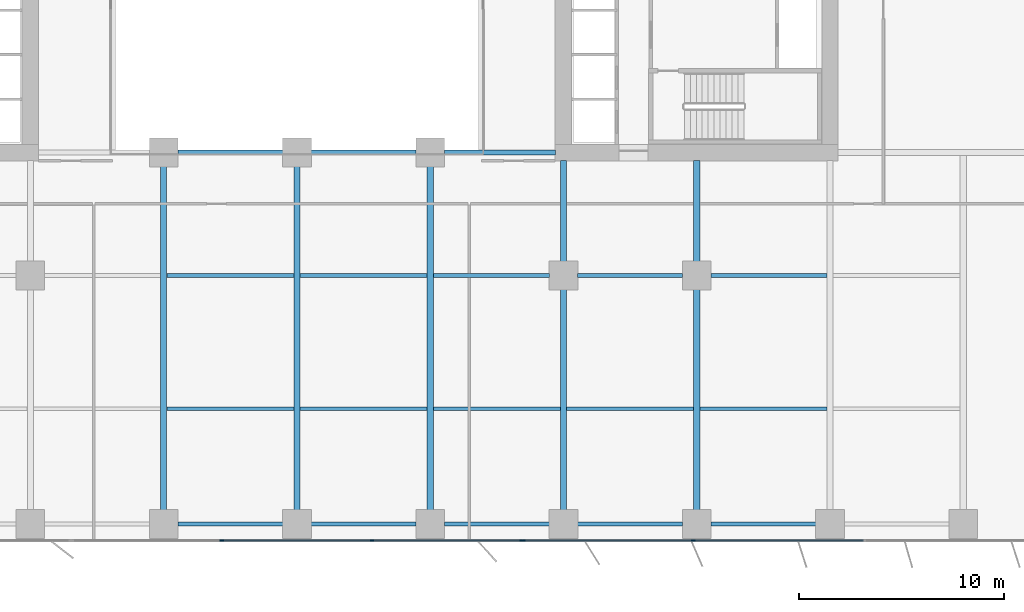
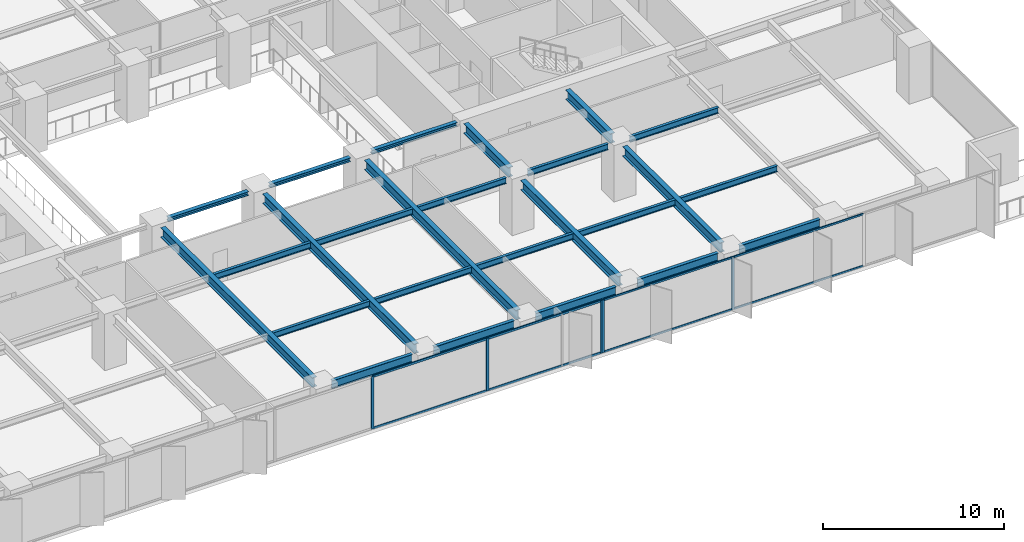
# One storey, part 5 of 20: 25 beams, 13 members, 2 elements without a shape of their own.
"""IFC4 building model written with IfcOpenShell, lengths in metres."""

from ifc_helpers import new_model, si_unit, direction, frame, origin, origin_2d, place, context, subcontext, project, spatial, rectangle, i_section, extrude, material, layer, layer_set, material_profile, profile_set, type_object, element, aggregate, save


model = new_model("IFC4")

# Units and contexts
model_context = context("Model", 3, precision=1e-05, world=origin(), true_north=direction((0.0, 1.0)))
body_context = subcontext(model_context, "Body", "Model", "MODEL_VIEW")
ifc_project = project(units=[si_unit("LENGTHUNIT", "METRE"), si_unit("AREAUNIT", "SQUARE_METRE"), si_unit("VOLUMEUNIT", "CUBIC_METRE"), si_unit("PLANEANGLEUNIT", "RADIAN"), si_unit("MASSUNIT", "GRAM", prefix="KILO")], contexts=[model_context])

# Site, building, storey
site_placement = place(None, origin())
site = spatial("IfcSite", under=ifc_project, at=site_placement, CompositionType="ELEMENT")
building_placement = place(site_placement, origin())
building = spatial("IfcBuilding", under=site, at=building_placement, Name="Putna Gate Headquarters", CompositionType="ELEMENT")
storey_placement = place(building_placement, frame((0.0, 0.0, 54.39990234375)))
storey = spatial("IfcBuildingStorey", under=building, at=storey_placement, Name="L12", CompositionType="ELEMENT", Elevation=54.39990234375)

# Beams
ifc_material_1 = material(Name="Steel S355J2", Category="steel")
ifc_material_profile_1 = material_profile(ifc_material_1, i_section(OverallWidth=0.260009765625, OverallDepth=0.260009765625, WebThickness=0.010009765625, FlangeThickness=0.017578125, at=origin_2d()), Name="Steel S355J2")
ifc_profile_set_1 = profile_set([ifc_material_profile_1], Name="Steel S355J2")
beam_type_1 = type_object("IfcBeamType", Name="BM-ATRIUM-HEB260", PredefinedType="BEAM", material=ifc_profile_set_1)
for number, where, z_axis, x_axis, name in (
    (1, (33.18798828125, 19.0, 3.420166015625), (1.0, 0.0, 0.0), (0.0, 1.0, 0.0), "L12 Atrium Edge Beam AS2"),
    (2, (39.68798828125, 19.0, 3.420166015625), (1.0, 0.0, 0.0), (0.0, 1.0, 0.0), "L12 Atrium Edge Beam AS3"),
):
    element("IfcBeam", number, at=place(storey_placement, frame(where, z_axis=z_axis, x_axis=x_axis)), inside=storey, type_object=beam_type_1, Name=name, PredefinedType="BEAM", context=body_context, shape_type="SweptSolid", body=[
        extrude(i_section(OverallWidth=0.260009765625, OverallDepth=0.260009765625, WebThickness=0.010009765625, FlangeThickness=0.017578125, at=origin_2d()), origin(), (0.0, 0.0, 1.0), 5.1240234375),
    ])
beam_1_placement = place(storey_placement, frame((46.18798828125, 19.0, 3.420166015625), z_axis=(1.0, 0.0, 0.0), x_axis=(0.0, 1.0, 0.0)))
element("IfcBeam", 3, at=beam_1_placement, inside=storey, type_object=beam_type_1, Name="L12 Atrium Edge Beam AS4", PredefinedType="BEAM", context=body_context, shape_type="SweptSolid", body=[
    extrude(i_section(OverallWidth=0.260009765625, OverallDepth=0.260009765625, WebThickness=0.010009765625, FlangeThickness=0.017578125, at=origin_2d()), origin(), (0.0, 0.0, 1.0), 5.427001953125),
])
ifc_material_profile_2 = material_profile(ifc_material_1, i_section(OverallWidth=0.300048828125, OverallDepth=0.64990234375, WebThickness=0.01611328125, FlangeThickness=0.031005859375, at=origin_2d()), Name="Steel S355J2")
ifc_profile_set_2 = profile_set([ifc_material_profile_2], Name="Steel S355J2")
beam_type_2 = type_object("IfcBeamType", Name="BM-GIRD-Z1-HEB650", PredefinedType="USERDEFINED", material=ifc_profile_set_2)
for number, where, z_axis, x_axis, name in (
    (4, (32.5, 1.568115234375, 3.22509765625), (0.0, 1.0, 0.0), (-1.0, 0.0, 0.0), "L12 South Primary Girder X32"),
    (5, (39.0, 1.568115234375, 3.22509765625), (0.0, 1.0, 0.0), (-1.0, 0.0, 0.0), "L12 South Primary Girder X39"),
    (6, (45.5, 1.568115234375, 3.22509765625), (0.0, 1.0, 0.0), (-1.0, 0.0, 0.0), "L12 South Primary Girder X45"),
):
    element("IfcBeam", number, at=place(storey_placement, frame(where, z_axis=z_axis, x_axis=x_axis)), inside=storey, type_object=beam_type_2, Name=name, ObjectType="GIRDER", PredefinedType="USERDEFINED", context=body_context, shape_type="SweptSolid", body=[
        extrude(i_section(OverallWidth=0.300048828125, OverallDepth=0.64990234375, WebThickness=0.01611328125, FlangeThickness=0.031005859375, at=origin_2d()), origin(), (0.0, 0.0, 1.0), 16.743896484375),
    ])
beam_2_placement = place(storey_placement, frame((52.0, 1.568115234375, 3.22509765625), z_axis=(0.0, 1.0, 0.0), x_axis=(-1.0, 0.0, 0.0)))
element("IfcBeam", 7, at=beam_2_placement, inside=storey, type_object=beam_type_2, Name="L12 South Primary Girder X52-1", ObjectType="GIRDER", PredefinedType="USERDEFINED", context=body_context, shape_type="SweptSolid", body=[
    extrude(i_section(OverallWidth=0.300048828125, OverallDepth=0.64990234375, WebThickness=0.01611328125, FlangeThickness=0.031005859375, at=origin_2d()), origin(), (0.0, 0.0, 1.0), 10.743896484375),
])
beam_3_placement = place(storey_placement, frame((52.0, 13.68798828125, 3.22509765625), z_axis=(0.0, 1.0, 0.0), x_axis=(-1.0, 0.0, 0.0)))
element("IfcBeam", 8, at=beam_3_placement, inside=storey, type_object=beam_type_2, Name="L12 South Primary Girder X52-2", ObjectType="GIRDER", PredefinedType="USERDEFINED", context=body_context, shape_type="SweptSolid", body=[
    extrude(i_section(OverallWidth=0.300048828125, OverallDepth=0.64990234375, WebThickness=0.01611328125, FlangeThickness=0.031005859375, at=origin_2d()), origin(), (0.0, 0.0, 1.0), 4.927001953125),
])
beam_4_placement = place(storey_placement, frame((58.5, 1.568115234375, 3.22509765625), z_axis=(0.0, 1.0, 0.0), x_axis=(-1.0, 0.0, 0.0)))
element("IfcBeam", 9, at=beam_4_placement, inside=storey, type_object=beam_type_2, Name="L12 South Primary Girder X58-1", ObjectType="GIRDER", PredefinedType="USERDEFINED", context=body_context, shape_type="SweptSolid", body=[
    extrude(i_section(OverallWidth=0.300048828125, OverallDepth=0.64990234375, WebThickness=0.01611328125, FlangeThickness=0.031005859375, at=origin_2d()), origin(), (0.0, 0.0, 1.0), 10.743896484375),
])
beam_5_placement = place(storey_placement, frame((58.5, 13.68798828125, 3.22509765625), z_axis=(0.0, 1.0, 0.0), x_axis=(-1.0, 0.0, 0.0)))
element("IfcBeam", 10, at=beam_5_placement, inside=storey, type_object=beam_type_2, Name="L12 South Primary Girder X58-2", ObjectType="GIRDER", PredefinedType="USERDEFINED", context=body_context, shape_type="SweptSolid", body=[
    extrude(i_section(OverallWidth=0.300048828125, OverallDepth=0.64990234375, WebThickness=0.01611328125, FlangeThickness=0.031005859375, at=origin_2d()), origin(), (0.0, 0.0, 1.0), 4.927001953125),
])
ifc_material_profile_3 = material_profile(ifc_material_1, i_section(OverallWidth=0.179931640625, OverallDepth=0.39990234375, WebThickness=0.008544921875, FlangeThickness=0.013427734375, at=origin_2d()), Name="Steel S355J2")
ifc_profile_set_3 = profile_set([ifc_material_profile_3], Name="Steel S355J2")
beam_type_3 = type_object("IfcBeamType", Name="BM-SEC-Z1-IPE400", PredefinedType="BEAM", material=ifc_profile_set_3)
for number, where, z_axis, x_axis, name in (
    (11, (32.654052734375, 6.5, 3.35009765625), (1.0, 0.0, 0.0), (0.0, 1.0, 0.0), "L12 South Secondary Beam 5"),
    (12, (32.654052734375, 13.0, 3.35009765625), (1.0, 0.0, 0.0), (0.0, 1.0, 0.0), "L12 South Secondary Beam 5"),
    (13, (39.154052734375, 6.5, 3.35009765625), (1.0, 0.0, 0.0), (0.0, 1.0, 0.0), "L12 South Secondary Beam 6"),
    (14, (39.154052734375, 13.0, 3.35009765625), (1.0, 0.0, 0.0), (0.0, 1.0, 0.0), "L12 South Secondary Beam 6"),
    (15, (45.654052734375, 6.5, 3.35009765625), (1.0, 0.0, 0.0), (0.0, 1.0, 0.0), "L12 South Secondary Beam 7"),
):
    element("IfcBeam", number, at=place(storey_placement, frame(where, z_axis=z_axis, x_axis=x_axis)), inside=storey, type_object=beam_type_3, Name=name, PredefinedType="BEAM", context=body_context, shape_type="SweptSolid", body=[
        extrude(i_section(OverallWidth=0.179931640625, OverallDepth=0.39990234375, WebThickness=0.008544921875, FlangeThickness=0.013427734375, at=origin_2d()), origin(), (0.0, 0.0, 1.0), 6.19189453125),
    ])
beam_6_placement = place(storey_placement, frame((45.654052734375, 13.0, 3.35009765625), z_axis=(1.0, 0.0, 0.0), x_axis=(0.0, 1.0, 0.0)))
element("IfcBeam", 16, at=beam_6_placement, inside=storey, type_object=beam_type_3, Name="L12 South Secondary Beam 7", PredefinedType="BEAM", context=body_context, shape_type="SweptSolid", body=[
    extrude(i_section(OverallWidth=0.179931640625, OverallDepth=0.39990234375, WebThickness=0.008544921875, FlangeThickness=0.013427734375, at=origin_2d()), origin(), (0.0, 0.0, 1.0), 5.657958984375),
])
beam_7_placement = place(storey_placement, frame((52.154052734375, 6.5, 3.35009765625), z_axis=(1.0, 0.0, 0.0), x_axis=(0.0, 1.0, 0.0)))
element("IfcBeam", 17, at=beam_7_placement, inside=storey, type_object=beam_type_3, Name="L12 South Secondary Beam 8", PredefinedType="BEAM", context=body_context, shape_type="SweptSolid", body=[
    extrude(i_section(OverallWidth=0.179931640625, OverallDepth=0.39990234375, WebThickness=0.008544921875, FlangeThickness=0.013427734375, at=origin_2d()), origin(), (0.0, 0.0, 1.0), 6.19189453125),
])
beam_8_placement = place(storey_placement, frame((52.68798828125, 13.0, 3.35009765625), z_axis=(1.0, 0.0, 0.0), x_axis=(0.0, 1.0, 0.0)))
element("IfcBeam", 18, at=beam_8_placement, inside=storey, type_object=beam_type_3, Name="L12 South Secondary Beam 8", PredefinedType="BEAM", context=body_context, shape_type="SweptSolid", body=[
    extrude(i_section(OverallWidth=0.179931640625, OverallDepth=0.39990234375, WebThickness=0.008544921875, FlangeThickness=0.013427734375, at=origin_2d()), origin(), (0.0, 0.0, 1.0), 5.1240234375),
])
beam_9_placement = place(storey_placement, frame((58.654052734375, 6.5, 3.35009765625), z_axis=(1.0, 0.0, 0.0), x_axis=(0.0, 1.0, 0.0)))
element("IfcBeam", 19, at=beam_9_placement, inside=storey, type_object=beam_type_3, Name="L12 South Secondary Beam 9", PredefinedType="BEAM", context=body_context, shape_type="SweptSolid", body=[
    extrude(i_section(OverallWidth=0.179931640625, OverallDepth=0.39990234375, WebThickness=0.008544921875, FlangeThickness=0.013427734375, at=origin_2d()), origin(), (0.0, 0.0, 1.0), 6.19189453125),
])
beam_10_placement = place(storey_placement, frame((59.18798828125, 13.0, 3.35009765625), z_axis=(1.0, 0.0, 0.0), x_axis=(0.0, 1.0, 0.0)))
element("IfcBeam", 20, at=beam_10_placement, inside=storey, type_object=beam_type_3, Name="L12 South Secondary Beam 9", PredefinedType="BEAM", context=body_context, shape_type="SweptSolid", body=[
    extrude(i_section(OverallWidth=0.179931640625, OverallDepth=0.39990234375, WebThickness=0.008544921875, FlangeThickness=0.013427734375, at=origin_2d()), origin(), (0.0, 0.0, 1.0), 5.657958984375),
])
ifc_material_profile_4 = material_profile(ifc_material_1, i_section(OverallWidth=0.2099609375, OverallDepth=0.550048828125, WebThickness=0.010986328125, FlangeThickness=0.01708984375, at=origin_2d()), Name="Steel S355J2")
ifc_profile_set_4 = profile_set([ifc_material_profile_4], Name="Steel S355J2")
beam_type_4 = type_object("IfcBeamType", Name="BM-SPAN-Z1-IPE550", PredefinedType="SPANDREL", material=ifc_profile_set_4)
for number, where, z_axis, x_axis, name in (
    (21, (33.18798828125, 0.8798828125, 3.275146484375), (1.0, 0.0, 0.0), (0.0, 1.0, 0.0), "L12 S Perimeter Spandrel 5"),
    (22, (39.68798828125, 0.8798828125, 3.275146484375), (1.0, 0.0, 0.0), (0.0, 1.0, 0.0), "L12 S Perimeter Spandrel 6"),
    (23, (46.18798828125, 0.8798828125, 3.275146484375), (1.0, 0.0, 0.0), (0.0, 1.0, 0.0), "L12 S Perimeter Spandrel 7"),
    (24, (52.68798828125, 0.8798828125, 3.275146484375), (1.0, 0.0, 0.0), (0.0, 1.0, 0.0), "L12 S Perimeter Spandrel 8"),
    (25, (59.18798828125, 0.8798828125, 3.275146484375), (1.0, 0.0, 0.0), (0.0, 1.0, 0.0), "L12 S Perimeter Spandrel 9"),
):
    element("IfcBeam", number, at=place(storey_placement, frame(where, z_axis=z_axis, x_axis=x_axis)), inside=storey, type_object=beam_type_4, Name=name, PredefinedType="SPANDREL", context=body_context, shape_type="SweptSolid", body=[
        extrude(i_section(OverallWidth=0.2099609375, OverallDepth=0.550048828125, WebThickness=0.010986328125, FlangeThickness=0.01708984375, at=origin_2d()), origin(), (0.0, 0.0, 1.0), 5.1240234375),
    ])

# Curtain wall, members
ifc_material_2 = material(Name="Anodised bronze aluminium curtain wall", Category="aluminium")
ifc_layer_1 = layer(ifc_material_2, 0.179931640625)
ifc_layer_set_1 = layer_set([ifc_layer_1], Name="Anodised bronze aluminium curtain wall")
curtain_wall_type_1 = type_object("IfcCurtainWallType", Name="CW-SYS-Z1", PredefinedType="USERDEFINED", material=ifc_layer_set_1)
curtain_wall_1_placement = place(storey_placement, origin())
curtain_wall_1 = element("IfcCurtainWall", 26, at=curtain_wall_1_placement, inside=storey, type_object=curtain_wall_type_1, Name="L12 South East Curtain Wall", ObjectType="STICK CURTAIN WALL", PredefinedType="USERDEFINED")
ifc_material_3 = material(Name="Anodised bronze aluminium EN AW-6060", Category="aluminium")
ifc_material_profile_5 = material_profile(ifc_material_3, rectangle(XDim=0.070068359375, YDim=0.179931640625, at=origin_2d()), Name="Anodised bronze aluminium EN AW-6060")
ifc_profile_set_5 = profile_set([ifc_material_profile_5], Name="Anodised bronze aluminium EN AW-6060")
member_type_1 = type_object("IfcMemberType", Name="MULL-CWM-1", PredefinedType="MULLION", material=ifc_profile_set_5)
member_1_placement = place(storey_placement, frame((50.034912109375, 0.080078125, 0.0), z_axis=(0.0, 0.0, 1.0), x_axis=(0.0, 1.0, 0.0)))
member_1 = element("IfcMember", 27, at=member_1_placement, type_object=member_type_1, Name="CWS-1 mullion 1", PredefinedType="MULLION", context=body_context, shape_type="SweptSolid", body=[
    extrude(rectangle(XDim=0.070068359375, YDim=0.179931640625, at=origin_2d()), origin(), (0.0, 0.0, 1.0), 3.550048828125),
])
member_2_placement = place(storey_placement, frame((58.333251953125, 0.080078125, 0.0), z_axis=(0.0, 0.0, 1.0), x_axis=(0.0, 1.0, 0.0)))
member_2 = element("IfcMember", 28, at=member_2_placement, type_object=member_type_1, Name="CWS-1 mullion 2", PredefinedType="MULLION", context=body_context, shape_type="SweptSolid", body=[
    extrude(rectangle(XDim=0.070068359375, YDim=0.179931640625, at=origin_2d()), origin(), (0.0, 0.0, 1.0), 3.550048828125),
])

ifc_layer_2 = layer(ifc_material_2, 0.179931640625)
ifc_layer_set_2 = layer_set([ifc_layer_2], Name="Anodised bronze aluminium curtain wall")
curtain_wall_type_2 = type_object("IfcCurtainWallType", Name="CW-SYS-ATR", PredefinedType="USERDEFINED", material=ifc_layer_set_2)
curtain_wall_2_placement = place(storey_placement, origin())
curtain_wall_2 = element("IfcCurtainWall", 29, at=curtain_wall_2_placement, inside=storey, type_object=curtain_wall_type_2, Name="L12 South Atrium Clear Glazing", ObjectType="ATRIUM GLAZING", PredefinedType="USERDEFINED")
ifc_material_profile_6 = material_profile(ifc_material_3, rectangle(XDim=0.070068359375, YDim=0.179931640625, at=origin_2d()), Name="Anodised bronze aluminium EN AW-6060")
ifc_profile_set_6 = profile_set([ifc_material_profile_6], Name="Anodised bronze aluminium EN AW-6060")
member_type_2 = type_object("IfcMemberType", Name="MULL-CWM-AT", PredefinedType="MULLION", material=ifc_profile_set_6)
member_3_placement = place(storey_placement, frame((35.333251953125, 0.080078125, 0.0), z_axis=(0.0, 0.0, 1.0), x_axis=(0.0, 1.0, 0.0)))
member_3 = element("IfcMember", 30, at=member_3_placement, type_object=member_type_2, Name="CWS-AT mullion 2", PredefinedType="MULLION", context=body_context, shape_type="SweptSolid", body=[
    extrude(rectangle(XDim=0.070068359375, YDim=0.179931640625, at=origin_2d()), origin(), (0.0, 0.0, 1.0), 3.550048828125),
])
member_4_placement = place(storey_placement, frame((42.666748046875, 0.080078125, 0.0), z_axis=(0.0, 0.0, 1.0), x_axis=(0.0, 1.0, 0.0)))
member_4 = element("IfcMember", 31, at=member_4_placement, type_object=member_type_2, Name="CWS-AT mullion 3", PredefinedType="MULLION", context=body_context, shape_type="SweptSolid", body=[
    extrude(rectangle(XDim=0.070068359375, YDim=0.179931640625, at=origin_2d()), origin(), (0.0, 0.0, 1.0), 3.550048828125),
])
member_5_placement = place(storey_placement, frame((49.965087890625, 0.080078125, 0.0), z_axis=(0.0, 0.0, 1.0), x_axis=(0.0, 1.0, 0.0)))
member_5 = element("IfcMember", 32, at=member_5_placement, type_object=member_type_2, Name="CWS-AT mullion 4", PredefinedType="MULLION", context=body_context, shape_type="SweptSolid", body=[
    extrude(rectangle(XDim=0.070068359375, YDim=0.179931640625, at=origin_2d()), origin(), (0.0, 0.0, 1.0), 3.550048828125),
])

# Member
ifc_material_profile_7 = material_profile(ifc_material_3, rectangle(XDim=0.06494140625, YDim=0.1201171875, at=origin_2d()), Name="Anodised bronze aluminium EN AW-6060")
ifc_profile_set_7 = profile_set([ifc_material_profile_7], Name="Anodised bronze aluminium EN AW-6060")
member_type_3 = type_object("IfcMemberType", Name="TRAN-CWT-1", PredefinedType="USERDEFINED", material=ifc_profile_set_7)
member_6_placement = place(storey_placement, frame((50.070068359375, 0.080078125, 0.03271484375), z_axis=(1.0, 0.0, 0.0), x_axis=(0.0, 1.0, 0.0)))
member_6 = element("IfcMember", 33, at=member_6_placement, type_object=member_type_3, Name="CWS-1 transom 1.1", ObjectType="TRANSOM", PredefinedType="USERDEFINED", context=body_context, shape_type="SweptSolid", body=[
    extrude(rectangle(XDim=0.06494140625, YDim=0.1201171875, at=origin_2d()), origin(), (0.0, 0.0, 1.0), 8.228271484375),
])

member_7_placement = place(storey_placement, frame((50.070068359375, 0.080078125, 3.517578125), z_axis=(1.0, 0.0, 0.0), x_axis=(0.0, 1.0, 0.0)))
member_7 = element("IfcMember", 34, at=member_7_placement, type_object=member_type_3, Name="CWS-1 transom 1.2", ObjectType="TRANSOM", PredefinedType="USERDEFINED", context=body_context, shape_type="SweptSolid", body=[
    extrude(rectangle(XDim=0.06494140625, YDim=0.1201171875, at=origin_2d()), origin(), (0.0, 0.0, 1.0), 8.228271484375),
])

member_8_placement = place(storey_placement, frame((58.368408203125, 0.080078125, 0.03271484375), z_axis=(1.0, 0.0, 0.0), x_axis=(0.0, 1.0, 0.0)))
member_8 = element("IfcMember", 35, at=member_8_placement, type_object=member_type_3, Name="CWS-1 transom 2.1", ObjectType="TRANSOM", PredefinedType="USERDEFINED", context=body_context, shape_type="SweptSolid", body=[
    extrude(rectangle(XDim=0.06494140625, YDim=0.1201171875, at=origin_2d()), origin(), (0.0, 0.0, 1.0), 8.26318359375),
])

member_9_placement = place(storey_placement, frame((58.368408203125, 0.080078125, 3.517578125), z_axis=(1.0, 0.0, 0.0), x_axis=(0.0, 1.0, 0.0)))
member_9 = element("IfcMember", 36, at=member_9_placement, type_object=member_type_3, Name="CWS-1 transom 2.2", ObjectType="TRANSOM", PredefinedType="USERDEFINED", context=body_context, shape_type="SweptSolid", body=[
    extrude(rectangle(XDim=0.06494140625, YDim=0.1201171875, at=origin_2d()), origin(), (0.0, 0.0, 1.0), 8.26318359375),
])

aggregate(curtain_wall_1, [member_1, member_2, member_6, member_7, member_8, member_9])

ifc_material_profile_8 = material_profile(ifc_material_3, rectangle(XDim=0.070068359375, YDim=0.139892578125, at=origin_2d()), Name="Anodised bronze aluminium EN AW-6060")
ifc_profile_set_8 = profile_set([ifc_material_profile_8], Name="Anodised bronze aluminium EN AW-6060")
member_type_4 = type_object("IfcMemberType", Name="TRAN-CWT-AT", PredefinedType="USERDEFINED", material=ifc_profile_set_8)
member_10_placement = place(storey_placement, frame((35.368408203125, 0.080078125, 0.03515625), z_axis=(1.0, 0.0, 0.0), x_axis=(0.0, 1.0, 0.0)))
member_10 = element("IfcMember", 37, at=member_10_placement, type_object=member_type_4, Name="CWS-AT transom 2.1", ObjectType="TRANSOM", PredefinedType="USERDEFINED", context=body_context, shape_type="SweptSolid", body=[
    extrude(rectangle(XDim=0.070068359375, YDim=0.139892578125, at=origin_2d()), origin(), (0.0, 0.0, 1.0), 7.26318359375),
])

member_11_placement = place(storey_placement, frame((35.368408203125, 0.080078125, 3.51513671875), z_axis=(1.0, 0.0, 0.0), x_axis=(0.0, 1.0, 0.0)))
member_11 = element("IfcMember", 38, at=member_11_placement, type_object=member_type_4, Name="CWS-AT transom 2.2", ObjectType="TRANSOM", PredefinedType="USERDEFINED", context=body_context, shape_type="SweptSolid", body=[
    extrude(rectangle(XDim=0.070068359375, YDim=0.139892578125, at=origin_2d()), origin(), (0.0, 0.0, 1.0), 7.26318359375),
])

member_12_placement = place(storey_placement, frame((42.70166015625, 0.080078125, 0.03515625), z_axis=(1.0, 0.0, 0.0), x_axis=(0.0, 1.0, 0.0)))
member_12 = element("IfcMember", 39, at=member_12_placement, type_object=member_type_4, Name="CWS-AT transom 3.1", ObjectType="TRANSOM", PredefinedType="USERDEFINED", context=body_context, shape_type="SweptSolid", body=[
    extrude(rectangle(XDim=0.070068359375, YDim=0.139892578125, at=origin_2d()), origin(), (0.0, 0.0, 1.0), 7.228271484375),
])

member_13_placement = place(storey_placement, frame((42.70166015625, 0.080078125, 3.51513671875), z_axis=(1.0, 0.0, 0.0), x_axis=(0.0, 1.0, 0.0)))
member_13 = element("IfcMember", 40, at=member_13_placement, type_object=member_type_4, Name="CWS-AT transom 3.2", ObjectType="TRANSOM", PredefinedType="USERDEFINED", context=body_context, shape_type="SweptSolid", body=[
    extrude(rectangle(XDim=0.070068359375, YDim=0.139892578125, at=origin_2d()), origin(), (0.0, 0.0, 1.0), 7.228271484375),
])

aggregate(curtain_wall_2, [member_3, member_4, member_5, member_10, member_11, member_12, member_13])

save(model, "model.ifc")
